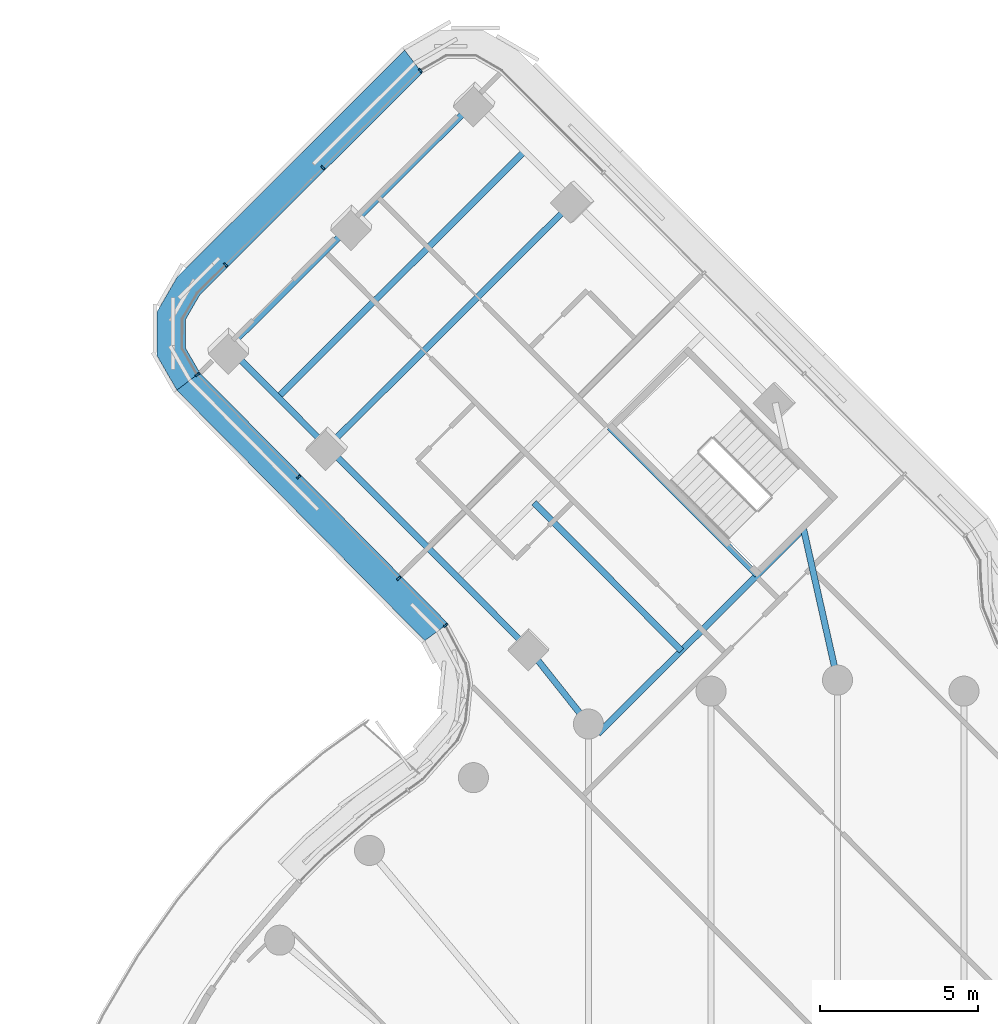
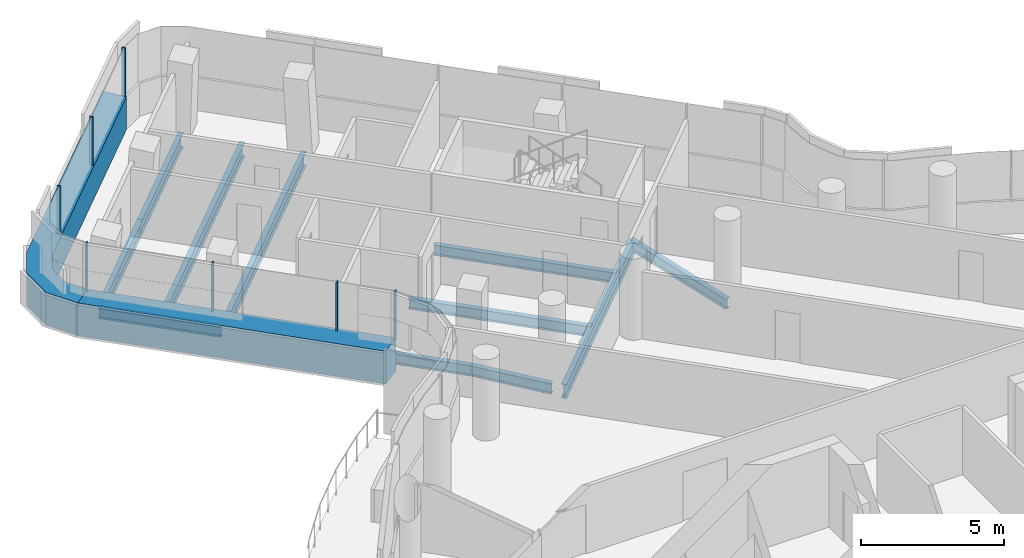
# One storey, part 14 of 31: 11 beams, 9 members, 3 elements without a shape of their own.
"""IFC4 building model written with IfcOpenShell, lengths in metres."""

from ifc_helpers import new_model, si_unit, direction, frame, origin, origin_2d, place, context, subcontext, project, spatial, polyline, rectangle, i_section, outline, extrude, material, layer, layer_set, material_profile, profile_set, type_object, element, aggregate, save


model = new_model("IFC4")

# Units and contexts
model_context = context("Model", 3, precision=1e-05, world=origin(), true_north=direction((0.0, 1.0)))
body_context = subcontext(model_context, "Body", "Model", "MODEL_VIEW")
ifc_project = project(units=[si_unit("LENGTHUNIT", "METRE"), si_unit("AREAUNIT", "SQUARE_METRE"), si_unit("VOLUMEUNIT", "CUBIC_METRE"), si_unit("PLANEANGLEUNIT", "RADIAN"), si_unit("MASSUNIT", "GRAM", prefix="KILO")], contexts=[model_context])

# Site, building, storey
site_placement = place(None, origin())
site = spatial("IfcSite", under=ifc_project, at=site_placement, CompositionType="ELEMENT")
building_placement = place(site_placement, origin())
building = spatial("IfcBuilding", under=site, at=building_placement, Name="Tamarind Cross Interchange Tower", CompositionType="ELEMENT")
storey_placement = place(building_placement, frame((0.0, 0.0, 196.89990234375)))
storey = spatial("IfcBuildingStorey", under=building, at=storey_placement, Name="L49", CompositionType="ELEMENT", Elevation=196.89990234375)

# Beams
ifc_material_1 = material(Name="Steel Q355B", Category="steel")
ifc_material_profile_1 = material_profile(ifc_material_1, i_section(OverallWidth=0.198974609375, OverallDepth=0.446044921875, WebThickness=0.008056640625, FlangeThickness=0.011962890625, FilletRadius=0.012939453125, at=origin_2d()), Name="HN 446x199x8x12")
ifc_profile_set_1 = profile_set([ifc_material_profile_1], Name="Steel Q355B")
beam_type_1 = type_object("IfcBeamType", Name="Composite beam HN 446x199x8x12 Q355B", PredefinedType="BEAM", material=ifc_profile_set_1)
beam_1_placement = place(storey_placement, frame((-19.24072265625, 33.501953125, -0.36279296875), z_axis=(0.706197142951, -0.708015250746, 0.0), x_axis=(0.708015250746, 0.706197142951, 0.0)))
element("IfcBeam", 1, at=beam_1_placement, inside=storey, type_object=beam_type_1, Name="Beam N-edgeep2", PredefinedType="BEAM", context=body_context, shape_type="SweptSolid", body=[
    extrude(i_section(OverallWidth=0.198974609375, OverallDepth=0.446044921875, WebThickness=0.008056640625, FlangeThickness=0.011962890625, FilletRadius=0.012939453125, at=origin_2d()), origin(), (0.0, 0.0, 1.0), 4.431396484375),
])
beam_2_placement = place(storey_placement, frame((-16.111328125, 30.364501953125, -0.36279296875), z_axis=(0.706197442409, -0.708014952056, 0.0), x_axis=(0.708014952056, 0.706197442409, 0.0)))
element("IfcBeam", 2, at=beam_2_placement, inside=storey, type_object=beam_type_1, Name="Beam N-edgeep3", PredefinedType="BEAM", context=body_context, shape_type="SweptSolid", body=[
    extrude(i_section(OverallWidth=0.198974609375, OverallDepth=0.446044921875, WebThickness=0.008056640625, FlangeThickness=0.011962890625, FilletRadius=0.012939453125, at=origin_2d()), origin(), (0.0, 0.0, 1.0), 9.0),
])
beam_3_placement = place(storey_placement, frame((-1.086181640625, 27.837158203125, -0.36279296875), z_axis=(0.219093836044, -0.975703792658, 0.0), x_axis=(0.975703792658, 0.219093836044, 0.0)))
element("IfcBeam", 3, at=beam_3_placement, inside=storey, type_object=beam_type_1, Name="Beam N-linkemt1", PredefinedType="BEAM", context=body_context, shape_type="SweptSolid", body=[
    extrude(i_section(OverallWidth=0.198974609375, OverallDepth=0.446044921875, WebThickness=0.008056640625, FlangeThickness=0.011962890625, FilletRadius=0.012939453125, at=origin_2d()), origin(), (0.0, 0.0, 1.0), 4.95751953125),
])
beam_4_placement = place(storey_placement, frame((-9.755615234375, 23.992431640625, -0.36279296875), z_axis=(0.621809669595, -0.783168394918, 0.0), x_axis=(0.783168394918, 0.621809669595, 0.0)))
element("IfcBeam", 4, at=beam_4_placement, inside=storey, type_object=beam_type_1, Name="Beam N-linkep", PredefinedType="BEAM", context=body_context, shape_type="SweptSolid", body=[
    extrude(i_section(OverallWidth=0.198974609375, OverallDepth=0.446044921875, WebThickness=0.008056640625, FlangeThickness=0.011962890625, FilletRadius=0.012939453125, at=origin_2d()), origin(), (0.0, 0.0, 1.0), 3.0380859375),
])
beam_5_placement = place(storey_placement, frame((-2.5400390625, 26.316650390625, -0.36279296875), z_axis=(-0.706199914827, 0.708012485977, 0.0), x_axis=(-0.708012485977, -0.706199914827, 0.0)))
element("IfcBeam", 5, at=beam_5_placement, inside=storey, type_object=beam_type_1, Name="Beam N-tr1", PredefinedType="BEAM", context=body_context, shape_type="SweptSolid", body=[
    extrude(i_section(OverallWidth=0.198974609375, OverallDepth=0.446044921875, WebThickness=0.008056640625, FlangeThickness=0.011962890625, FilletRadius=0.012939453125, at=origin_2d()), origin(), (0.0, 0.0, 1.0), 6.599853515625),
])
beam_6_placement = place(storey_placement, frame((-4.9296875, 23.93310546875, -0.36279296875), z_axis=(-0.706181419507, 0.708030933465, 0.0), x_axis=(-0.708030933465, -0.706181419507, 0.0)))
element("IfcBeam", 6, at=beam_6_placement, inside=storey, type_object=beam_type_1, Name="Beam N-stripp", PredefinedType="BEAM", context=body_context, shape_type="SweptSolid", body=[
    extrude(i_section(OverallWidth=0.198974609375, OverallDepth=0.446044921875, WebThickness=0.008056640625, FlangeThickness=0.011962890625, FilletRadius=0.012939453125, at=origin_2d()), origin(), (0.0, 0.0, 1.0), 6.60009765625),
])
ifc_material_profile_2 = material_profile(ifc_material_1, i_section(OverallWidth=0.198974609375, OverallDepth=0.595947265625, WebThickness=0.010009765625, FlangeThickness=0.014892578125, FilletRadius=0.012939453125, at=origin_2d()), Name="HN 596x199x10x15")
ifc_profile_set_2 = profile_set([ifc_material_profile_2], Name="Steel Q355B")
beam_type_2 = type_object("IfcBeamType", Name="Composite beam HN 596x199x10x15 Q355B", PredefinedType="BEAM", material=ifc_profile_set_2)
for number, where, z_axis, x_axis, name in (
    (7, (-11.452392578125, 41.27001953125, -0.43798828125), (-0.708038321794, -0.70617401175, 0.0), (0.70617401175, -0.708038321794, 0.0), "Beam N-tip0"),
    (8, (-15.3466796875, 37.385986328125, -0.43798828125), (-0.708016185099, -0.706196206191, 0.0), (0.706196206191, -0.708016185099, 0.0), "Beam N-tip1"),
):
    element("IfcBeam", number, at=place(storey_placement, frame(where, z_axis=z_axis, x_axis=x_axis)), inside=storey, type_object=beam_type_2, Name=name, PredefinedType="BEAM", context=body_context, shape_type="SweptSolid", body=[
        extrude(i_section(OverallWidth=0.198974609375, OverallDepth=0.595947265625, WebThickness=0.010009765625, FlangeThickness=0.014892578125, FilletRadius=0.012939453125, at=origin_2d()), origin(), (0.0, 0.0, 1.0), 5.5),
    ])
beam_7_placement = place(storey_placement, frame((-1.0732421875, 27.779541015625, -0.43798828125), z_axis=(-0.708025247459, -0.706187120359, 0.0), x_axis=(0.706187120359, -0.708025247459, 0.0)))
element("IfcBeam", 9, at=beam_7_placement, inside=storey, type_object=beam_type_2, Name="Beam N-x268", PredefinedType="BEAM", context=body_context, shape_type="SweptSolid", body=[
    extrude(i_section(OverallWidth=0.198974609375, OverallDepth=0.595947265625, WebThickness=0.010009765625, FlangeThickness=0.014892578125, FilletRadius=0.012939453125, at=origin_2d()), origin(), (0.0, 0.0, 1.0), 9.16455078125),
])
for number, where, z_axis, x_axis, name in (
    (10, (-8.3232421875, 38.1328125, -0.43798828125), (-0.70800508779, -0.706207331924, 0.0), (0.706207331924, -0.70800508779, 0.0), "Beam N-x393"),
    (11, (-9.8876953125, 39.701416015625, -0.43798828125), (-0.708027253707, -0.706185108883, 0.0), (0.706185108883, -0.708027253707, 0.0), "Beam N-x415"),
):
    element("IfcBeam", number, at=place(storey_placement, frame(where, z_axis=z_axis, x_axis=x_axis)), inside=storey, type_object=beam_type_2, Name=name, PredefinedType="BEAM", context=body_context, shape_type="SweptSolid", body=[
        extrude(i_section(OverallWidth=0.198974609375, OverallDepth=0.595947265625, WebThickness=0.010009765625, FlangeThickness=0.014892578125, FilletRadius=0.012939453125, at=origin_2d()), origin(), (0.0, 0.0, 1.0), 11.0),
    ])

# Curtain wall, member
ifc_material_2 = material(Name="Aluminium 6063-T6", Category="aluminium")
ifc_layer = layer(ifc_material_2, 0.139892578125)
ifc_layer_set = layer_set([ifc_layer], Name="Aluminium 6063-T6")
curtain_wall_type = type_object("IfcCurtainWallType", Name="Hotel curtain wall, 4.5 m bays", PredefinedType="NOTDEFINED", material=ifc_layer_set)
curtain_wall_1_placement = place(storey_placement, origin())
curtain_wall_1 = element("IfcCurtainWall", 12, at=curtain_wall_1_placement, inside=storey, type_object=curtain_wall_type, Name="CWS-L49-04", PredefinedType="NOTDEFINED")
ifc_material_3 = material(Name="Aluminium and insulated spandrel panel", Category="aluminium")
member_type_1 = type_object("IfcMemberType", Name="Floor-edge blade transom", PredefinedType="USERDEFINED", material=ifc_material_3)
member_1_placement = place(storey_placement, origin())
member_1 = element("IfcMember", 13, at=member_1_placement, type_object=member_type_1, Name="CWT-L49-04", ObjectType="TRANSOM", PredefinedType="USERDEFINED", context=body_context, shape_type="SweptSolid", body=[
    extrude(outline(polyline([(-13.117919921875, 42.176025390625), (-20.14208984375, 35.169677734375), (-20.600830078125, 34.377685546875), (-20.60205078125, 33.503173828125), (-20.14501953125, 32.709228515625), (-20.866943359375, 32.1591796875), (-21.50244140625, 33.26318359375), (-21.50048828125, 34.619873046875), (-20.861572265625, 35.723388671875), (-13.669677734375, 42.896728515625), (-13.117919921875, 42.176025390625)])), origin(), (0.0, 0.0, 1.0), 1.400146484375),
])

curtain_wall_2_placement = place(storey_placement, origin())
curtain_wall_2 = element("IfcCurtainWall", 14, at=curtain_wall_2_placement, inside=storey, type_object=curtain_wall_type, Name="CWS-L49-05", PredefinedType="NOTDEFINED")
member_2_placement = place(storey_placement, origin())
member_2 = element("IfcMember", 15, at=member_2_placement, type_object=member_type_1, Name="CWT-L49-05", ObjectType="TRANSOM", PredefinedType="USERDEFINED", context=body_context, shape_type="SweptSolid", body=[
    extrude(outline(polyline([(-20.14501953125, 32.709228515625), (-12.302734375, 24.785400390625), (-13.035400390625, 24.246337890625), (-20.866943359375, 32.1591796875), (-20.14501953125, 32.709228515625)])), origin(), (0.0, 0.0, 1.0), 1.400146484375),
])

# Member
ifc_material_profile_3 = material_profile(ifc_material_2, rectangle(XDim=0.06005859375, YDim=0.139892578125, at=origin_2d()), Name="Mullion CW2")
ifc_profile_set_3 = profile_set([ifc_material_profile_3], Name="Aluminium 6063-T6")
member_type_2 = type_object("IfcMemberType", Name="Mullion CW2", PredefinedType="MULLION", material=ifc_profile_set_3)
member_3_placement = place(storey_placement, frame((-13.17919921875, 42.256103515625, 1.400146484375), z_axis=(0.0, 0.0, 1.0), x_axis=(-0.794134677519, -0.607741815215, 0.0)))
member_3 = element("IfcMember", 16, at=member_3_placement, type_object=member_type_2, Name="CWM-L49-04-00", PredefinedType="MULLION", context=body_context, shape_type="SweptSolid", body=[
    extrude(rectangle(XDim=0.06005859375, YDim=0.139892578125, at=origin_2d()), origin(), (0.0, 0.0, 1.0), 2.06005859375),
])

member_4_placement = place(storey_placement, frame((-16.256103515625, 39.187255859375, 1.400146484375), z_axis=(0.0, 0.0, 1.0), x_axis=(-0.708014520272, -0.706197875304, 0.0)))
member_4 = element("IfcMember", 17, at=member_4_placement, type_object=member_type_2, Name="CWM-L49-04-01", PredefinedType="MULLION", context=body_context, shape_type="SweptSolid", body=[
    extrude(rectangle(XDim=0.06005859375, YDim=0.139892578125, at=origin_2d()), origin(), (0.0, 0.0, 1.0), 2.06005859375),
])

member_5_placement = place(storey_placement, frame((-19.332763671875, 36.118408203125, 1.400146484375), z_axis=(0.0, 0.0, 1.0), x_axis=(-0.708014520272, -0.706197875304, 0.0)))
member_5 = element("IfcMember", 18, at=member_5_placement, type_object=member_type_2, Name="CWM-L49-04-02", PredefinedType="MULLION", context=body_context, shape_type="SweptSolid", body=[
    extrude(rectangle(XDim=0.06005859375, YDim=0.139892578125, at=origin_2d()), origin(), (0.0, 0.0, 1.0), 2.06005859375),
])

aggregate(curtain_wall_1, [member_3, member_4, member_5, member_1])

member_6_placement = place(storey_placement, frame((-20.225341796875, 32.648193359375, 1.400146484375), z_axis=(0.0, 0.0, 1.0), x_axis=(0.606199211112, -0.795312841872, 0.0)))
member_6 = element("IfcMember", 19, at=member_6_placement, type_object=member_type_2, Name="CWM-L49-05-00", PredefinedType="MULLION", context=body_context, shape_type="SweptSolid", body=[
    extrude(rectangle(XDim=0.06005859375, YDim=0.139892578125, at=origin_2d()), origin(), (0.0, 0.0, 1.0), 2.06005859375),
])

member_7_placement = place(storey_placement, frame((-17.0244140625, 29.4140625, 1.400146484375), z_axis=(0.0, 0.0, 1.0), x_axis=(0.703443968525, -0.710750718006, 0.0)))
member_7 = element("IfcMember", 20, at=member_7_placement, type_object=member_type_2, Name="CWM-L49-05-01", PredefinedType="MULLION", context=body_context, shape_type="SweptSolid", body=[
    extrude(rectangle(XDim=0.06005859375, YDim=0.139892578125, at=origin_2d()), origin(), (0.0, 0.0, 1.0), 2.06005859375),
])

member_8_placement = place(storey_placement, frame((-13.85791015625, 26.214599609375, 1.400146484375), z_axis=(0.0, 0.0, 1.0), x_axis=(0.703443968525, -0.710750718006, 0.0)))
member_8 = element("IfcMember", 21, at=member_8_placement, type_object=member_type_2, Name="CWM-L49-05-02", PredefinedType="MULLION", context=body_context, shape_type="SweptSolid", body=[
    extrude(rectangle(XDim=0.06005859375, YDim=0.139892578125, at=origin_2d()), origin(), (0.0, 0.0, 1.0), 2.06005859375),
])

aggregate(curtain_wall_2, [member_6, member_7, member_8, member_2])

# Curtain wall, member
curtain_wall_3_placement = place(storey_placement, origin())
curtain_wall_3 = element("IfcCurtainWall", 22, at=curtain_wall_3_placement, inside=storey, type_object=curtain_wall_type, Name="CWS-L49-06", PredefinedType="NOTDEFINED")
member_9_placement = place(storey_placement, frame((-12.384033203125, 24.7255859375, 1.400146484375), z_axis=(0.0, 0.0, 1.0), x_axis=(0.592498027044, -0.805571901167, 0.0)))
member_9 = element("IfcMember", 23, at=member_9_placement, type_object=member_type_2, Name="CWM-L49-06-00", PredefinedType="MULLION", context=body_context, shape_type="SweptSolid", body=[
    extrude(rectangle(XDim=0.06005859375, YDim=0.139892578125, at=origin_2d()), origin(), (0.0, 0.0, 1.0), 2.06005859375),
])
aggregate(curtain_wall_3, [member_9])

save(model, "model.ifc")
